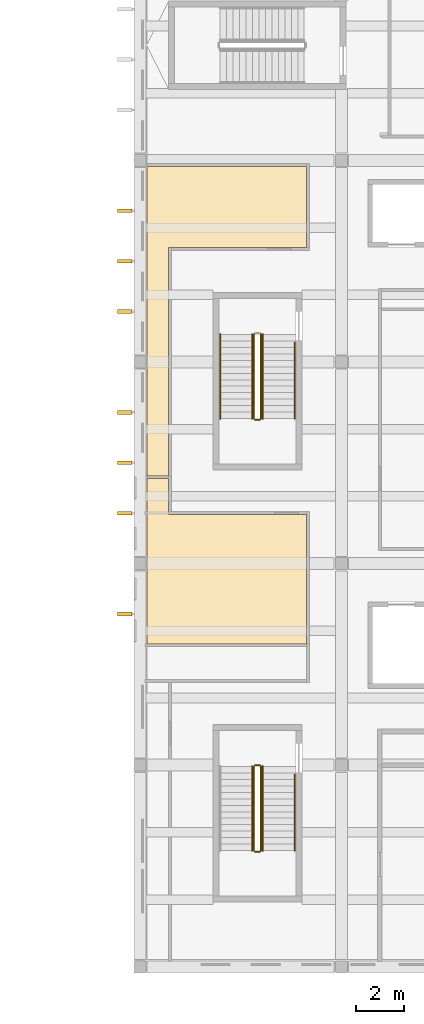
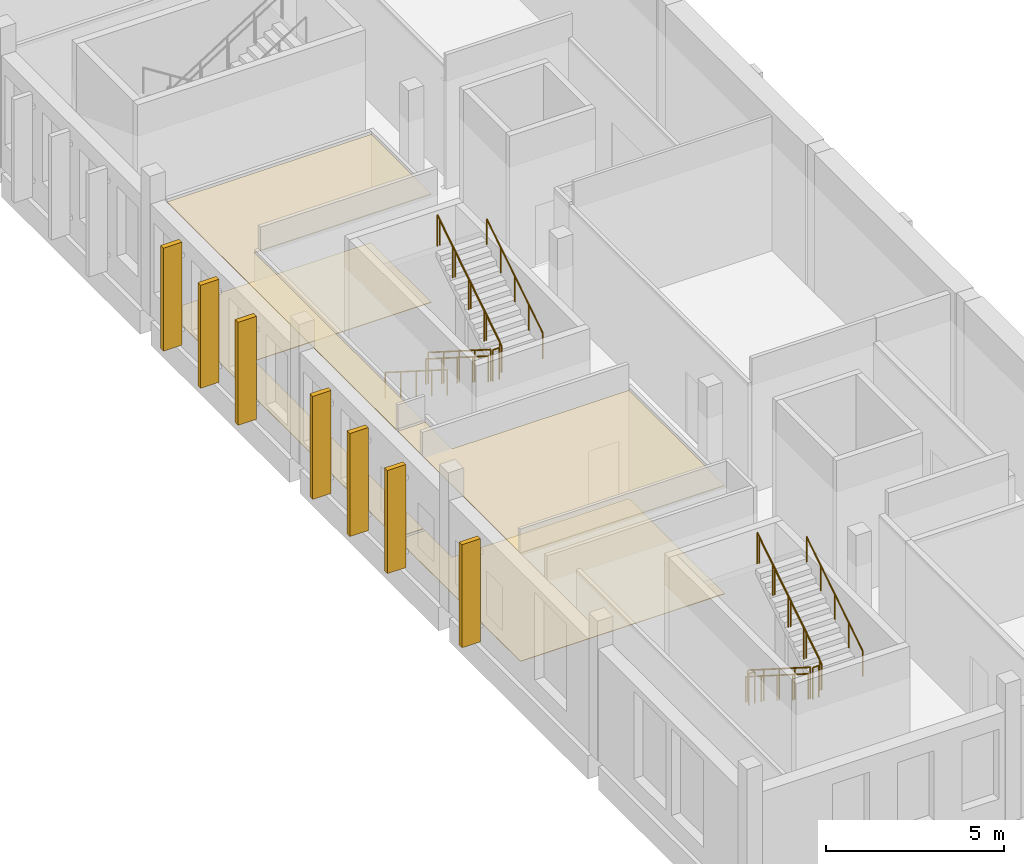
# One storey, part 63 of 79: 14 railings, 11 coverings.
"""IFC4 building model written with IfcOpenShell, lengths in metres."""

from ifc_helpers import new_model, si_unit, direction, frame, origin, origin_2d, place, context, subcontext, project, spatial, polyline, circle, outline, extrude, material, layer, layer_set, type_object, element, save


model = new_model("IFC4")

# Units and contexts
model_context = context("Model", 3, precision=1e-05, world=origin(), true_north=direction((0.0, 1.0)))
body_context = subcontext(model_context, "Body", "Model", "MODEL_VIEW")
ifc_project = project(units=[si_unit("LENGTHUNIT", "METRE"), si_unit("AREAUNIT", "SQUARE_METRE"), si_unit("VOLUMEUNIT", "CUBIC_METRE"), si_unit("PLANEANGLEUNIT", "RADIAN"), si_unit("MASSUNIT", "GRAM", prefix="KILO")], contexts=[model_context])

# Site, building, storey
site_placement = place(None, origin())
site = spatial("IfcSite", under=ifc_project, at=site_placement, CompositionType="ELEMENT")
building_placement = place(site_placement, origin())
building = spatial("IfcBuilding", under=site, at=building_placement, Name="Larchfold Concert Hall", CompositionType="ELEMENT")
storey_placement = place(building_placement, frame((0.0, 0.0, 14.39990234375)))
storey = spatial("IfcBuildingStorey", under=building, at=storey_placement, Name="L03", CompositionType="ELEMENT", Elevation=14.39990234375)

# Coverings
ifc_material_1 = material(Name="Plasterboard ceiling lining")
ifc_layer_1 = layer(ifc_material_1, 0.030029296875)
ifc_layer_set_1 = layer_set([ifc_layer_1], Name="Plasterboard ceiling lining")
covering_type_1 = type_object("IfcCoveringType", Name="Ceiling suspended plasterboard 30", PredefinedType="CEILING", material=ifc_layer_set_1)
covering_1_placement = place(storey_placement, frame((0.0, 0.0, 3.710205078125)))
element("IfcCovering", 1, at=covering_1_placement, inside=storey, type_object=covering_type_1, Name="Ceiling Artists' Kitchen", PredefinedType="CEILING", context=body_context, shape_type="SweptSolid", body=[
    extrude(outline(polyline([(84.900146484375, 20.949951171875), (84.900146484375, 14.050048828125), (91.53857421875, 14.050048828125), (91.53857421875, 19.4384765625), (85.78857421875, 19.4384765625), (85.78857421875, 21.0), (85.784912109375, 20.949951171875), (84.900146484375, 20.949951171875)])), origin(), (0.0, 0.0, 1.0), 0.030029296875),
])
covering_2_placement = place(storey_placement, frame((0.0, 0.0, 3.710205078125)))
element("IfcCovering", 2, at=covering_2_placement, inside=storey, type_object=covering_type_1, Name="Ceiling Orchestra Office 01", PredefinedType="CEILING", context=body_context, shape_type="SweptSolid", body=[
    extrude(outline(polyline([(85.784912109375, 21.0), (85.78857421875, 30.5615234375), (91.53857421875, 30.5615234375), (91.53759765625, 34.0), (91.53759765625, 33.9375), (84.900146484375, 33.9375), (84.900146484375, 21.050048828125), (85.784912109375, 21.050048828125), (85.784912109375, 21.0)])), origin(), (0.0, 0.0, 1.0), 0.030029296875),
])
ifc_material_2 = material(Name="Linoleum sheet")
ifc_layer_2 = layer(ifc_material_2, 0.02001953125)
ifc_layer_set_2 = layer_set([ifc_layer_2], Name="Linoleum sheet")
covering_type_2 = type_object("IfcCoveringType", Name="Floor finish vinyl 20", PredefinedType="FLOORING", material=ifc_layer_set_2)
covering_3_placement = place(storey_placement, origin())
element("IfcCovering", 3, at=covering_3_placement, inside=storey, type_object=covering_type_2, Name="Floor finish Artists' Kitchen", PredefinedType="FLOORING", context=body_context, shape_type="SweptSolid", body=[
    extrude(outline(polyline([(84.900146484375, 20.949951171875), (84.900146484375, 14.050048828125), (91.53857421875, 14.050048828125), (91.53857421875, 19.4384765625), (85.78857421875, 19.4384765625), (85.78857421875, 21.0), (85.784912109375, 20.949951171875), (84.900146484375, 20.949951171875)])), origin(), (0.0, 0.0, 1.0), 0.02001953125),
])
covering_4_placement = place(storey_placement, origin())
element("IfcCovering", 4, at=covering_4_placement, inside=storey, type_object=covering_type_2, Name="Floor finish Orchestra Office 01", PredefinedType="FLOORING", context=body_context, shape_type="SweptSolid", body=[
    extrude(outline(polyline([(85.784912109375, 21.0), (85.78857421875, 30.5615234375), (91.53857421875, 30.5615234375), (91.53759765625, 34.0), (91.53759765625, 33.9375), (84.900146484375, 33.9375), (84.900146484375, 21.050048828125), (85.784912109375, 21.050048828125), (85.784912109375, 21.0)])), origin(), (0.0, 0.0, 1.0), 0.02001953125),
])
ifc_material_3 = material(Name="Glulam GL30c", Category="wood")
ifc_layer_3 = layer(ifc_material_3, 0.159912109375)
ifc_layer_set_3 = layer_set([ifc_layer_3], Name="Glulam GL30c")
covering_type_3 = type_object("IfcCoveringType", Name="Glulam fin 160x600", PredefinedType="CLADDING", material=ifc_layer_set_3)
covering_5_placement = place(storey_placement, frame((0.0, 0.0, 0.199951171875)))
element("IfcCovering", 5, at=covering_5_placement, inside=storey, type_object=covering_type_3, Name="Glulam fin FN-L03-050", PredefinedType="CLADDING", context=body_context, shape_type="SweptSolid", body=[
    extrude(outline(polyline([(84.275146484375, 27.820068359375), (84.275146484375, 27.97998046875), (83.675048828125, 27.97998046875), (83.675048828125, 27.820068359375), (84.275146484375, 27.820068359375)])), origin(), (0.0, 0.0, 1.0), 3.5400390625),
])
covering_6_placement = place(storey_placement, frame((0.0, 0.0, 0.199951171875)))
element("IfcCovering", 6, at=covering_6_placement, inside=storey, type_object=covering_type_3, Name="Glulam fin FN-L03-051", PredefinedType="CLADDING", context=body_context, shape_type="SweptSolid", body=[
    extrude(outline(polyline([(84.275146484375, 29.919921875), (84.275146484375, 30.080078125), (83.675048828125, 30.080078125), (83.675048828125, 29.919921875), (84.275146484375, 29.919921875)])), origin(), (0.0, 0.0, 1.0), 3.5400390625),
])
covering_7_placement = place(storey_placement, frame((0.0, 0.0, 0.199951171875)))
element("IfcCovering", 7, at=covering_7_placement, inside=storey, type_object=covering_type_3, Name="Glulam fin FN-L03-052", PredefinedType="CLADDING", context=body_context, shape_type="SweptSolid", body=[
    extrude(outline(polyline([(84.275146484375, 32.02001953125), (84.275146484375, 32.179931640625), (83.675048828125, 32.179931640625), (83.675048828125, 32.02001953125), (84.275146484375, 32.02001953125)])), origin(), (0.0, 0.0, 1.0), 3.5400390625),
])
covering_8_placement = place(storey_placement, frame((0.0, 0.0, 0.199951171875)))
element("IfcCovering", 8, at=covering_8_placement, inside=storey, type_object=covering_type_3, Name="Glulam fin FN-L03-053", PredefinedType="CLADDING", context=body_context, shape_type="SweptSolid", body=[
    extrude(outline(polyline([(84.275146484375, 19.419921875), (84.275146484375, 19.580078125), (83.675048828125, 19.580078125), (83.675048828125, 19.419921875), (84.275146484375, 19.419921875)])), origin(), (0.0, 0.0, 1.0), 3.5400390625),
])
covering_9_placement = place(storey_placement, frame((0.0, 0.0, 0.199951171875)))
element("IfcCovering", 9, at=covering_9_placement, inside=storey, type_object=covering_type_3, Name="Glulam fin FN-L03-054", PredefinedType="CLADDING", context=body_context, shape_type="SweptSolid", body=[
    extrude(outline(polyline([(84.275146484375, 21.52001953125), (84.275146484375, 21.679931640625), (83.675048828125, 21.679931640625), (83.675048828125, 21.52001953125), (84.275146484375, 21.52001953125)])), origin(), (0.0, 0.0, 1.0), 3.5400390625),
])
covering_10_placement = place(storey_placement, frame((0.0, 0.0, 0.199951171875)))
element("IfcCovering", 10, at=covering_10_placement, inside=storey, type_object=covering_type_3, Name="Glulam fin FN-L03-055", PredefinedType="CLADDING", context=body_context, shape_type="SweptSolid", body=[
    extrude(outline(polyline([(84.275146484375, 23.6201171875), (84.275146484375, 23.780029296875), (83.675048828125, 23.780029296875), (83.675048828125, 23.6201171875), (84.275146484375, 23.6201171875)])), origin(), (0.0, 0.0, 1.0), 3.5400390625),
])
covering_11_placement = place(storey_placement, frame((0.0, 0.0, 0.199951171875)))
element("IfcCovering", 11, at=covering_11_placement, inside=storey, type_object=covering_type_3, Name="Glulam fin FN-L03-056", PredefinedType="CLADDING", context=body_context, shape_type="SweptSolid", body=[
    extrude(outline(polyline([(84.275146484375, 15.219970703125), (84.275146484375, 15.3798828125), (83.675048828125, 15.3798828125), (83.675048828125, 15.219970703125), (84.275146484375, 15.219970703125)])), origin(), (0.0, 0.0, 1.0), 3.5400390625),
])

# Railings
ifc_material_4 = material(Name="Stainless steel balustrade", Category="steel")
railing_type_1 = type_object("IfcRailingType", Name="Stair guard 1100", PredefinedType="GUARDRAIL", material=ifc_material_4)
railing_1_placement = place(storey_placement, frame((89.349853515625, 8.949951171875, 0.171630859375)))
element("IfcRailing", 12, at=railing_1_placement, inside=storey, type_object=railing_type_1, Name="Guard GR0053", PredefinedType="GUARDRAIL", context=body_context, shape_type="SweptSolid", body=[
    extrude(circle(Radius=0.02392578125, at=origin_2d()), frame((0.0, 0.0, 1.076171875), z_axis=(0.0, -0.844219563411, 0.53599750816), x_axis=(1.0, 0.0, 0.0)), (0.0, 0.0, 1.0), 4.15771484375),
    extrude(circle(Radius=0.02099609375, at=origin_2d()), origin(), (0.0, 0.0, 1.0), 1.052001953125),
    extrude(circle(Radius=0.02099609375, at=origin_2d()), frame((0.0, -0.87744140625, 0.55712890625)), (0.0, 0.0, 1.0), 1.052001953125),
    extrude(circle(Radius=0.02099609375, at=origin_2d()), frame((0.0, -1.7548828125, 1.1142578125)), (0.0, 0.0, 1.0), 1.052001953125),
    extrude(circle(Radius=0.02099609375, at=origin_2d()), frame((0.0, -2.632568359375, 1.67138671875)), (0.0, 0.0, 1.0), 1.052001953125),
    extrude(circle(Radius=0.02099609375, at=origin_2d()), frame((0.0, -3.510009765625, 2.228515625)), (0.0, 0.0, 1.0), 1.052001953125),
])
railing_2_placement = place(storey_placement, frame((89.39990234375, 5.389892578125, 2.400146484375)))
element("IfcRailing", 13, at=railing_2_placement, inside=storey, type_object=railing_type_1, Name="Guard GR0054", PredefinedType="GUARDRAIL", context=body_context, shape_type="SweptSolid", body=[
    extrude(circle(Radius=0.02392578125, at=origin_2d()), frame((0.0, 0.0, 1.076171875), z_axis=(1.0, 0.0, 0.0), x_axis=(0.0, 1.0, 0.0)), (0.0, 0.0, 1.0), 0.199951171875),
    extrude(circle(Radius=0.02099609375, at=origin_2d()), origin(), (0.0, 0.0, 1.0), 1.052001953125),
    extrude(circle(Radius=0.02099609375, at=origin_2d()), frame((0.199951171875, 0.0, 0.0)), (0.0, 0.0, 1.0), 1.052001953125),
])
railing_3_placement = place(storey_placement, frame((89.64990234375, 5.43994140625, 2.571533203125)))
element("IfcRailing", 14, at=railing_3_placement, inside=storey, type_object=railing_type_1, Name="Guard GR0055", PredefinedType="GUARDRAIL", context=body_context, shape_type="SweptSolid", body=[
    extrude(circle(Radius=0.02392578125, at=origin_2d()), frame((0.0, 0.0, 1.076171875), z_axis=(0.0, 0.844219563411, 0.53599750816), x_axis=(-1.0, 0.0, 0.0)), (0.0, 0.0, 1.0), 4.15771484375),
    extrude(circle(Radius=0.02099609375, at=origin_2d()), origin(), (0.0, 0.0, 1.0), 1.052001953125),
    extrude(circle(Radius=0.02099609375, at=origin_2d()), frame((0.0, 0.87744140625, 0.55712890625)), (0.0, 0.0, 1.0), 1.052001953125),
    extrude(circle(Radius=0.02099609375, at=origin_2d()), frame((0.0, 1.7548828125, 1.1142578125)), (0.0, 0.0, 1.0), 1.052001953125),
    extrude(circle(Radius=0.02099609375, at=origin_2d()), frame((0.0, 2.632568359375, 1.67138671875)), (0.0, 0.0, 1.0), 1.052001953125),
    extrude(circle(Radius=0.02099609375, at=origin_2d()), frame((0.0, 3.510009765625, 2.228515625)), (0.0, 0.0, 1.0), 1.052001953125),
])
railing_4_placement = place(storey_placement, frame((89.39990234375, 9.0, 0.0)))
element("IfcRailing", 15, at=railing_4_placement, inside=storey, type_object=railing_type_1, Name="Guard GR0056", PredefinedType="GUARDRAIL", context=body_context, shape_type="SweptSolid", body=[
    extrude(circle(Radius=0.02392578125, at=origin_2d()), frame((0.0, 0.0, 1.076171875), z_axis=(1.0, 0.0, 0.0), x_axis=(0.0, 1.0, 0.0)), (0.0, 0.0, 1.0), 0.199951171875),
    extrude(circle(Radius=0.02099609375, at=origin_2d()), origin(), (0.0, 0.0, 1.0), 1.052001953125),
    extrude(circle(Radius=0.02099609375, at=origin_2d()), frame((0.199951171875, 0.0, 0.0)), (0.0, 0.0, 1.0), 1.052001953125),
])
railing_5_placement = place(storey_placement, frame((89.349853515625, 26.949951171875, 0.171630859375)))
element("IfcRailing", 16, at=railing_5_placement, inside=storey, type_object=railing_type_1, Name="Guard GR0057", PredefinedType="GUARDRAIL", context=body_context, shape_type="SweptSolid", body=[
    extrude(circle(Radius=0.02392578125, at=origin_2d()), frame((0.0, 0.0, 1.076171875), z_axis=(0.0, -0.844219563411, 0.53599750816), x_axis=(1.0, 0.0, 0.0)), (0.0, 0.0, 1.0), 4.15771484375),
    extrude(circle(Radius=0.02099609375, at=origin_2d()), origin(), (0.0, 0.0, 1.0), 1.052001953125),
    extrude(circle(Radius=0.02099609375, at=origin_2d()), frame((0.0, -0.87744140625, 0.55712890625)), (0.0, 0.0, 1.0), 1.052001953125),
    extrude(circle(Radius=0.02099609375, at=origin_2d()), frame((0.0, -1.7548828125, 1.1142578125)), (0.0, 0.0, 1.0), 1.052001953125),
    extrude(circle(Radius=0.02099609375, at=origin_2d()), frame((0.0, -2.632568359375, 1.67138671875)), (0.0, 0.0, 1.0), 1.052001953125),
    extrude(circle(Radius=0.02099609375, at=origin_2d()), frame((0.0, -3.510009765625, 2.228515625)), (0.0, 0.0, 1.0), 1.052001953125),
])
railing_6_placement = place(storey_placement, frame((89.39990234375, 23.389892578125, 2.400146484375)))
element("IfcRailing", 17, at=railing_6_placement, inside=storey, type_object=railing_type_1, Name="Guard GR0058", PredefinedType="GUARDRAIL", context=body_context, shape_type="SweptSolid", body=[
    extrude(circle(Radius=0.02392578125, at=origin_2d()), frame((0.0, 0.0, 1.076171875), z_axis=(1.0, 0.0, 0.0), x_axis=(0.0, 1.0, 0.0)), (0.0, 0.0, 1.0), 0.199951171875),
    extrude(circle(Radius=0.02099609375, at=origin_2d()), origin(), (0.0, 0.0, 1.0), 1.052001953125),
    extrude(circle(Radius=0.02099609375, at=origin_2d()), frame((0.199951171875, 0.0, 0.0)), (0.0, 0.0, 1.0), 1.052001953125),
])
railing_7_placement = place(storey_placement, frame((89.64990234375, 23.43994140625, 2.571533203125)))
element("IfcRailing", 18, at=railing_7_placement, inside=storey, type_object=railing_type_1, Name="Guard GR0059", PredefinedType="GUARDRAIL", context=body_context, shape_type="SweptSolid", body=[
    extrude(circle(Radius=0.02392578125, at=origin_2d()), frame((0.0, 0.0, 1.076171875), z_axis=(0.0, 0.844219563411, 0.53599750816), x_axis=(-1.0, 0.0, 0.0)), (0.0, 0.0, 1.0), 4.15771484375),
    extrude(circle(Radius=0.02099609375, at=origin_2d()), origin(), (0.0, 0.0, 1.0), 1.052001953125),
    extrude(circle(Radius=0.02099609375, at=origin_2d()), frame((0.0, 0.87744140625, 0.55712890625)), (0.0, 0.0, 1.0), 1.052001953125),
    extrude(circle(Radius=0.02099609375, at=origin_2d()), frame((0.0, 1.7548828125, 1.1142578125)), (0.0, 0.0, 1.0), 1.052001953125),
    extrude(circle(Radius=0.02099609375, at=origin_2d()), frame((0.0, 2.632568359375, 1.67138671875)), (0.0, 0.0, 1.0), 1.052001953125),
    extrude(circle(Radius=0.02099609375, at=origin_2d()), frame((0.0, 3.510009765625, 2.228515625)), (0.0, 0.0, 1.0), 1.052001953125),
])
ifc_material_5 = material(Name="Stainless steel handrail", Category="steel")
railing_type_2 = type_object("IfcRailingType", Name="Stair handrail 900", PredefinedType="HANDRAIL", material=ifc_material_5)
railing_8_placement = place(storey_placement, frame((91.0498046875, 5.43994140625, 2.571533203125)))
element("IfcRailing", 19, at=railing_8_placement, inside=storey, type_object=railing_type_2, Name="Handrail HR0050", PredefinedType="HANDRAIL", context=body_context, shape_type="SweptSolid", body=[
    extrude(circle(Radius=0.02392578125, at=origin_2d()), frame((0.0, 0.0, 0.8759765625), z_axis=(0.0, 0.844224994989, 0.535988953092), x_axis=(-1.0, 0.0, 0.0)), (0.0, 0.0, 1.0), 3.7431640625),
    extrude(circle(Radius=0.02099609375, at=origin_2d()), origin(), (0.0, 0.0, 1.0), 0.851806640625),
    extrude(circle(Radius=0.02099609375, at=origin_2d()), frame((0.0, 0.7900390625, 0.50146484375)), (0.0, 0.0, 1.0), 0.851806640625),
    extrude(circle(Radius=0.02099609375, at=origin_2d()), frame((0.0, 1.580078125, 1.003173828125)), (0.0, 0.0, 1.0), 0.851806640625),
    extrude(circle(Radius=0.02099609375, at=origin_2d()), frame((0.0, 2.3701171875, 1.5048828125)), (0.0, 0.0, 1.0), 0.851806640625),
    extrude(circle(Radius=0.02099609375, at=origin_2d()), frame((0.0, 3.16015625, 2.00634765625)), (0.0, 0.0, 1.0), 0.851806640625),
])
railing_9_placement = place(storey_placement, frame((89.27978515625, 8.949951171875, 0.171630859375)))
element("IfcRailing", 20, at=railing_9_placement, inside=storey, type_object=railing_type_2, Name="Handrail HR0051", PredefinedType="HANDRAIL", context=body_context, shape_type="SweptSolid", body=[
    extrude(circle(Radius=0.02392578125, at=origin_2d()), frame((0.0, 0.0, 0.8759765625), z_axis=(0.0, -0.844219563411, 0.53599750816), x_axis=(1.0, 0.0, 0.0)), (0.0, 0.0, 1.0), 4.15771484375),
    extrude(circle(Radius=0.02099609375, at=origin_2d()), origin(), (0.0, 0.0, 1.0), 0.851806640625),
    extrude(circle(Radius=0.02099609375, at=origin_2d()), frame((0.0, -0.87744140625, 0.55712890625)), (0.0, 0.0, 1.0), 0.851806640625),
    extrude(circle(Radius=0.02099609375, at=origin_2d()), frame((0.0, -1.7548828125, 1.1142578125)), (0.0, 0.0, 1.0), 0.851806640625),
    extrude(circle(Radius=0.02099609375, at=origin_2d()), frame((0.0, -2.632568359375, 1.67138671875)), (0.0, 0.0, 1.0), 0.851806640625),
    extrude(circle(Radius=0.02099609375, at=origin_2d()), frame((0.0, -3.510009765625, 2.228515625)), (0.0, 0.0, 1.0), 0.851806640625),
])
railing_10_placement = place(storey_placement, frame((89.719970703125, 5.43994140625, 2.571533203125)))
element("IfcRailing", 21, at=railing_10_placement, inside=storey, type_object=railing_type_2, Name="Handrail HR0052", PredefinedType="HANDRAIL", context=body_context, shape_type="SweptSolid", body=[
    extrude(circle(Radius=0.02392578125, at=origin_2d()), frame((0.0, 0.0, 0.8759765625), z_axis=(0.0, 0.844219563411, 0.53599750816), x_axis=(-1.0, 0.0, 0.0)), (0.0, 0.0, 1.0), 4.15771484375),
    extrude(circle(Radius=0.02099609375, at=origin_2d()), origin(), (0.0, 0.0, 1.0), 0.851806640625),
    extrude(circle(Radius=0.02099609375, at=origin_2d()), frame((0.0, 0.87744140625, 0.55712890625)), (0.0, 0.0, 1.0), 0.851806640625),
    extrude(circle(Radius=0.02099609375, at=origin_2d()), frame((0.0, 1.7548828125, 1.1142578125)), (0.0, 0.0, 1.0), 0.851806640625),
    extrude(circle(Radius=0.02099609375, at=origin_2d()), frame((0.0, 2.632568359375, 1.67138671875)), (0.0, 0.0, 1.0), 0.851806640625),
    extrude(circle(Radius=0.02099609375, at=origin_2d()), frame((0.0, 3.510009765625, 2.228515625)), (0.0, 0.0, 1.0), 0.851806640625),
])
railing_11_placement = place(storey_placement, frame((87.949951171875, 26.949951171875, 0.171630859375)))
element("IfcRailing", 22, at=railing_11_placement, inside=storey, type_object=railing_type_2, Name="Handrail HR0053", PredefinedType="HANDRAIL", context=body_context, shape_type="SweptSolid", body=[
    extrude(circle(Radius=0.02392578125, at=origin_2d()), frame((0.0, 0.0, 0.8759765625), z_axis=(0.0, -0.844219563411, 0.53599750816), x_axis=(1.0, 0.0, 0.0)), (0.0, 0.0, 1.0), 4.15771484375),
    extrude(circle(Radius=0.02099609375, at=origin_2d()), origin(), (0.0, 0.0, 1.0), 0.851806640625),
    extrude(circle(Radius=0.02099609375, at=origin_2d()), frame((0.0, -0.87744140625, 0.55712890625)), (0.0, 0.0, 1.0), 0.851806640625),
    extrude(circle(Radius=0.02099609375, at=origin_2d()), frame((0.0, -1.7548828125, 1.1142578125)), (0.0, 0.0, 1.0), 0.851806640625),
    extrude(circle(Radius=0.02099609375, at=origin_2d()), frame((0.0, -2.632568359375, 1.67138671875)), (0.0, 0.0, 1.0), 0.851806640625),
    extrude(circle(Radius=0.02099609375, at=origin_2d()), frame((0.0, -3.510009765625, 2.228515625)), (0.0, 0.0, 1.0), 0.851806640625),
])
railing_12_placement = place(storey_placement, frame((91.0498046875, 23.43994140625, 2.571533203125)))
element("IfcRailing", 23, at=railing_12_placement, inside=storey, type_object=railing_type_2, Name="Handrail HR0054", PredefinedType="HANDRAIL", context=body_context, shape_type="SweptSolid", body=[
    extrude(circle(Radius=0.02392578125, at=origin_2d()), frame((0.0, 0.0, 0.8759765625), z_axis=(0.0, 0.844224994989, 0.535988953092), x_axis=(-1.0, 0.0, 0.0)), (0.0, 0.0, 1.0), 3.7431640625),
    extrude(circle(Radius=0.02099609375, at=origin_2d()), origin(), (0.0, 0.0, 1.0), 0.851806640625),
    extrude(circle(Radius=0.02099609375, at=origin_2d()), frame((0.0, 0.7900390625, 0.50146484375)), (0.0, 0.0, 1.0), 0.851806640625),
    extrude(circle(Radius=0.02099609375, at=origin_2d()), frame((0.0, 1.580078125, 1.003173828125)), (0.0, 0.0, 1.0), 0.851806640625),
    extrude(circle(Radius=0.02099609375, at=origin_2d()), frame((0.0, 2.3701171875, 1.5048828125)), (0.0, 0.0, 1.0), 0.851806640625),
    extrude(circle(Radius=0.02099609375, at=origin_2d()), frame((0.0, 3.16015625, 2.00634765625)), (0.0, 0.0, 1.0), 0.851806640625),
])
railing_13_placement = place(storey_placement, frame((89.27978515625, 26.949951171875, 0.171630859375)))
element("IfcRailing", 24, at=railing_13_placement, inside=storey, type_object=railing_type_2, Name="Handrail HR0055", PredefinedType="HANDRAIL", context=body_context, shape_type="SweptSolid", body=[
    extrude(circle(Radius=0.02392578125, at=origin_2d()), frame((0.0, 0.0, 0.8759765625), z_axis=(0.0, -0.844219563411, 0.53599750816), x_axis=(1.0, 0.0, 0.0)), (0.0, 0.0, 1.0), 4.15771484375),
    extrude(circle(Radius=0.02099609375, at=origin_2d()), origin(), (0.0, 0.0, 1.0), 0.851806640625),
    extrude(circle(Radius=0.02099609375, at=origin_2d()), frame((0.0, -0.87744140625, 0.55712890625)), (0.0, 0.0, 1.0), 0.851806640625),
    extrude(circle(Radius=0.02099609375, at=origin_2d()), frame((0.0, -1.7548828125, 1.1142578125)), (0.0, 0.0, 1.0), 0.851806640625),
    extrude(circle(Radius=0.02099609375, at=origin_2d()), frame((0.0, -2.632568359375, 1.67138671875)), (0.0, 0.0, 1.0), 0.851806640625),
    extrude(circle(Radius=0.02099609375, at=origin_2d()), frame((0.0, -3.510009765625, 2.228515625)), (0.0, 0.0, 1.0), 0.851806640625),
])
railing_14_placement = place(storey_placement, frame((89.719970703125, 23.43994140625, 2.571533203125)))
element("IfcRailing", 25, at=railing_14_placement, inside=storey, type_object=railing_type_2, Name="Handrail HR0056", PredefinedType="HANDRAIL", context=body_context, shape_type="SweptSolid", body=[
    extrude(circle(Radius=0.02392578125, at=origin_2d()), frame((0.0, 0.0, 0.8759765625), z_axis=(0.0, 0.844219563411, 0.53599750816), x_axis=(-1.0, 0.0, 0.0)), (0.0, 0.0, 1.0), 4.15771484375),
    extrude(circle(Radius=0.02099609375, at=origin_2d()), origin(), (0.0, 0.0, 1.0), 0.851806640625),
    extrude(circle(Radius=0.02099609375, at=origin_2d()), frame((0.0, 0.87744140625, 0.55712890625)), (0.0, 0.0, 1.0), 0.851806640625),
    extrude(circle(Radius=0.02099609375, at=origin_2d()), frame((0.0, 1.7548828125, 1.1142578125)), (0.0, 0.0, 1.0), 0.851806640625),
    extrude(circle(Radius=0.02099609375, at=origin_2d()), frame((0.0, 2.632568359375, 1.67138671875)), (0.0, 0.0, 1.0), 0.851806640625),
    extrude(circle(Radius=0.02099609375, at=origin_2d()), frame((0.0, 3.510009765625, 2.228515625)), (0.0, 0.0, 1.0), 0.851806640625),
])

save(model, "model.ifc")
